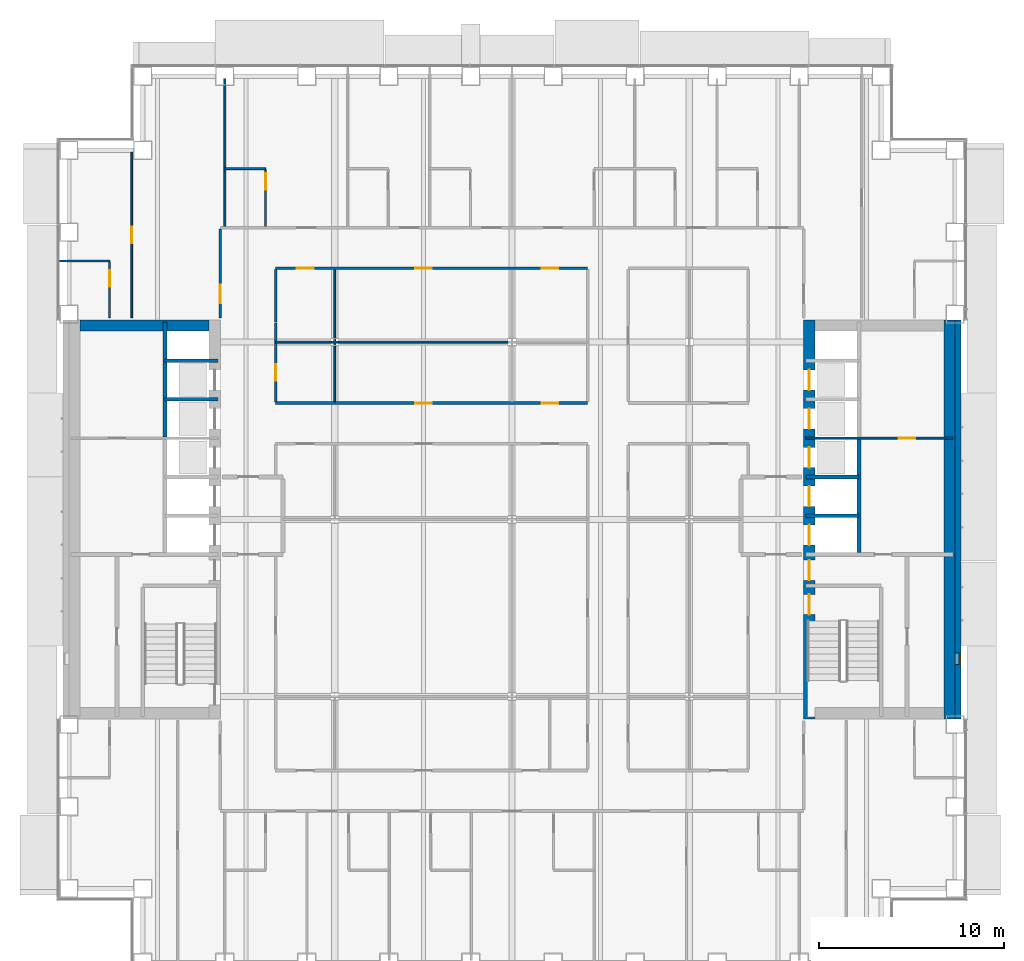
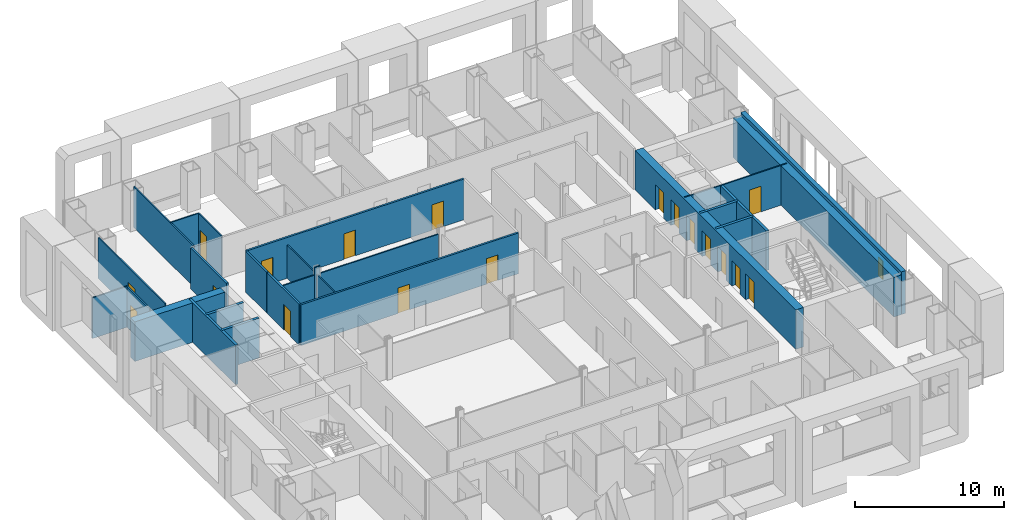
# One storey, part 17 of 25: 27 walls, 18 doors, 1 window, 19 openings.
"""IFC4 building model written with IfcOpenShell, lengths in metres."""

from ifc_helpers import new_model, si_unit, direction, frame, frame_2d, origin, place, context, subcontext, project, spatial, rectangle, extrude, material, layer, layer_set, type_object, element, fill, save


model = new_model("IFC4")

# Units and contexts
model_context = context("Model", 3, precision=1e-05, world=origin(), true_north=direction((0.0, 1.0)))
body_context = subcontext(model_context, "Body", "Model", "MODEL_VIEW")
ifc_project = project(units=[si_unit("LENGTHUNIT", "METRE"), si_unit("AREAUNIT", "SQUARE_METRE"), si_unit("VOLUMEUNIT", "CUBIC_METRE"), si_unit("PLANEANGLEUNIT", "RADIAN"), si_unit("MASSUNIT", "GRAM", prefix="KILO")], contexts=[model_context])

# Site, building, storey
site_placement = place(None, origin())
site = spatial("IfcSite", under=ifc_project, at=site_placement, CompositionType="ELEMENT")
building_placement = place(site_placement, origin())
building = spatial("IfcBuilding", under=site, at=building_placement, Name="Cobrizo Arcos Hotel Tower", CompositionType="ELEMENT")
storey_placement = place(building_placement, frame((0.0, 0.0, 53.0)))
storey = spatial("IfcBuildingStorey", under=building, at=storey_placement, Name="L11", CompositionType="ELEMENT", Elevation=53.0)

# Wall, openings, doors
ifc_material_1 = material(Name="Gypsum board partition")
ifc_layer_1 = layer(ifc_material_1, 0.14990234375)
ifc_layer_set_1 = layer_set([ifc_layer_1], Name="Corridor wall EI 60 150")
wall_type_1 = type_object("IfcWallType", Name="Corridor wall EI 60 150", PredefinedType="PARTITIONING", material=ifc_layer_set_1)
wall_1_placement = place(storey_placement, frame((-12.800048828125, 6.300048828125, 0.0), z_axis=(0.0, 0.0, 1.0), x_axis=(1.0, 0.0, 0.0)))
wall_1 = element("IfcWall", 1, at=wall_1_placement, inside=storey, type_object=wall_type_1, Name="Partition 043", PredefinedType="PARTITIONING", context=body_context, shape_type="SweptSolid", body=[
    extrude(rectangle(XDim=16.900146484375, YDim=0.14990234375, at=frame_2d((8.4501953125, 0.0))), origin(), (0.0, 0.0, 1.0), 3.35009765625),
])
opening_1_placement = place(wall_1_placement, frame((14.39990234375, 0.0, 0.0)))
opening_1 = element("IfcOpeningElement", 2, at=opening_1_placement, cuts=wall_1, Name="Opening RD-20", PredefinedType="OPENING", context=body_context, shape_type="SweptSolid", body=[
    extrude(rectangle(XDim=0.89990234375, YDim=2.10009765625, at=frame_2d((0.449951171875, 1.050048828125))), frame((0.0, 0.0869140625, 0.0), z_axis=(0.0, -1.0, 0.0), x_axis=(1.0, 0.0, 0.0)), (0.0, 0.0, 1.0), 0.173828125),
])
opening_2_placement = place(wall_1_placement, frame((7.550048828125, 0.0, 0.0)))
opening_2 = element("IfcOpeningElement", 3, at=opening_2_placement, cuts=wall_1, Name="Opening RD-27", PredefinedType="OPENING", context=body_context, shape_type="SweptSolid", body=[
    extrude(rectangle(XDim=0.89990234375, YDim=2.10009765625, at=frame_2d((0.449951171875, 1.050048828125))), frame((0.0, 0.0869140625, 0.0), z_axis=(0.0, -1.0, 0.0), x_axis=(1.0, 0.0, 0.0)), (0.0, 0.0, 1.0), 0.173828125),
])
ifc_material_2 = material(Name="Timber door leaf", Category="wood")
door_type_1 = type_object("IfcDoorType", Name="Room door FD30 900x2100", OperationType="SINGLE_SWING_LEFT", PredefinedType="DOOR", material=ifc_material_2)
door_1_placement = place(opening_1_placement, origin())
door_1 = element("IfcDoor", 4, at=door_1_placement, inside=storey, type_object=door_type_1, Name="Door RD-20", OperationType="SINGLE_SWING_LEFT", OverallHeight=2.10009765625, OverallWidth=0.89990234375, PredefinedType="DOOR", context=body_context, shape_type="SweptSolid", body=[
    extrude(rectangle(XDim=0.89990234375, YDim=2.10009765625, at=frame_2d((0.449951171875, 1.050048828125))), frame((0.0, 0.02490234375, 0.0), z_axis=(0.0, -1.0, 0.0), x_axis=(1.0, 0.0, 0.0)), (0.0, 0.0, 1.0), 0.050048828125),
])
fill(opening_1, door_1)
door_2_placement = place(opening_2_placement, origin())
door_2 = element("IfcDoor", 5, at=door_2_placement, inside=storey, type_object=door_type_1, Name="Door RD-27", OperationType="SINGLE_SWING_LEFT", OverallHeight=2.10009765625, OverallWidth=0.89990234375, PredefinedType="DOOR", context=body_context, shape_type="SweptSolid", body=[
    extrude(rectangle(XDim=0.89990234375, YDim=2.10009765625, at=frame_2d((0.449951171875, 1.050048828125))), frame((0.0, 0.02490234375, 0.0), z_axis=(0.0, -1.0, 0.0), x_axis=(1.0, 0.0, 0.0)), (0.0, 0.0, 1.0), 0.050048828125),
])
fill(opening_2, door_2)

wall_2_placement = place(storey_placement, frame((-12.800048828125, 13.60009765625, 0.0), z_axis=(0.0, 0.0, 1.0), x_axis=(1.0, 0.0, 0.0)))
wall_2 = element("IfcWall", 6, at=wall_2_placement, inside=storey, type_object=wall_type_1, Name="Partition 054", PredefinedType="PARTITIONING", context=body_context, shape_type="SweptSolid", body=[
    extrude(rectangle(XDim=16.900146484375, YDim=0.14990234375, at=frame_2d((8.4501953125, 0.0))), origin(), (0.0, 0.0, 1.0), 3.35009765625),
])
opening_3_placement = place(wall_2_placement, frame((1.14990234375, 0.0, 0.0)))
opening_3 = element("IfcOpeningElement", 7, at=opening_3_placement, cuts=wall_2, Name="Opening RD-17", PredefinedType="OPENING", context=body_context, shape_type="SweptSolid", body=[
    extrude(rectangle(XDim=0.89990234375, YDim=2.10009765625, at=frame_2d((0.449951171875, 1.050048828125))), frame((0.0, 0.0869140625, 0.0), z_axis=(0.0, -1.0, 0.0), x_axis=(1.0, 0.0, 0.0)), (0.0, 0.0, 1.0), 0.173828125),
])
opening_4_placement = place(wall_2_placement, frame((14.39990234375, 0.0, 0.0)))
opening_4 = element("IfcOpeningElement", 8, at=opening_4_placement, cuts=wall_2, Name="Opening RD-21", PredefinedType="OPENING", context=body_context, shape_type="SweptSolid", body=[
    extrude(rectangle(XDim=0.89990234375, YDim=2.10009765625, at=frame_2d((0.449951171875, 1.050048828125))), frame((0.0, 0.0869140625, 0.0), z_axis=(0.0, -1.0, 0.0), x_axis=(1.0, 0.0, 0.0)), (0.0, 0.0, 1.0), 0.173828125),
])
opening_5_placement = place(wall_2_placement, frame((7.550048828125, 0.0, 0.0)))
opening_5 = element("IfcOpeningElement", 9, at=opening_5_placement, cuts=wall_2, Name="Opening RD-29", PredefinedType="OPENING", context=body_context, shape_type="SweptSolid", body=[
    extrude(rectangle(XDim=0.89990234375, YDim=2.10009765625, at=frame_2d((0.449951171875, 1.050048828125))), frame((0.0, 0.0869140625, 0.0), z_axis=(0.0, -1.0, 0.0), x_axis=(1.0, 0.0, 0.0)), (0.0, 0.0, 1.0), 0.173828125),
])
door_3_placement = place(opening_3_placement, origin())
door_3 = element("IfcDoor", 10, at=door_3_placement, inside=storey, type_object=door_type_1, Name="Door RD-17", OperationType="SINGLE_SWING_RIGHT", OverallHeight=2.10009765625, OverallWidth=0.89990234375, PredefinedType="DOOR", context=body_context, shape_type="SweptSolid", body=[
    extrude(rectangle(XDim=0.89990234375, YDim=2.10009765625, at=frame_2d((0.449951171875, 1.050048828125))), frame((0.0, 0.02490234375, 0.0), z_axis=(0.0, -1.0, 0.0), x_axis=(1.0, 0.0, 0.0)), (0.0, 0.0, 1.0), 0.050048828125),
])
fill(opening_3, door_3)
door_4_placement = place(opening_4_placement, origin())
door_4 = element("IfcDoor", 11, at=door_4_placement, inside=storey, type_object=door_type_1, Name="Door RD-21", OperationType="SINGLE_SWING_RIGHT", OverallHeight=2.10009765625, OverallWidth=0.89990234375, PredefinedType="DOOR", context=body_context, shape_type="SweptSolid", body=[
    extrude(rectangle(XDim=0.89990234375, YDim=2.10009765625, at=frame_2d((0.449951171875, 1.050048828125))), frame((0.0, 0.02490234375, 0.0), z_axis=(0.0, -1.0, 0.0), x_axis=(1.0, 0.0, 0.0)), (0.0, 0.0, 1.0), 0.050048828125),
])
fill(opening_4, door_4)
door_5_placement = place(opening_5_placement, origin())
door_5 = element("IfcDoor", 12, at=door_5_placement, inside=storey, type_object=door_type_1, Name="Door RD-29", OperationType="SINGLE_SWING_RIGHT", OverallHeight=2.10009765625, OverallWidth=0.89990234375, PredefinedType="DOOR", context=body_context, shape_type="SweptSolid", body=[
    extrude(rectangle(XDim=0.89990234375, YDim=2.10009765625, at=frame_2d((0.449951171875, 1.050048828125))), frame((0.0, 0.02490234375, 0.0), z_axis=(0.0, -1.0, 0.0), x_axis=(1.0, 0.0, 0.0)), (0.0, 0.0, 1.0), 0.050048828125),
])
fill(opening_5, door_5)

# Wall, opening, door
wall_3_placement = place(storey_placement, frame((-15.800048828125, 10.919921875, 0.0), z_axis=(0.0, 0.0, 1.0), x_axis=(0.0, 1.0, 0.0)))
wall_3 = element("IfcWall", 13, at=wall_3_placement, inside=storey, type_object=wall_type_1, Name="Partition 073", PredefinedType="PARTITIONING", context=body_context, shape_type="SweptSolid", body=[
    extrude(rectangle(XDim=4.80517578125, YDim=0.14990234375, at=frame_2d((2.402587890625, 0.0))), origin(), (0.0, 0.0, 1.0), 3.35009765625),
])
opening_6_placement = place(wall_3_placement, frame((0.780029296875, 0.0, 0.0)))
opening_6 = element("IfcOpeningElement", 14, at=opening_6_placement, cuts=wall_3, Name="Opening GD-13", PredefinedType="OPENING", context=body_context, shape_type="SweptSolid", body=[
    extrude(rectangle(XDim=1.0, YDim=2.10009765625, at=frame_2d((0.5, 1.050048828125))), frame((0.0, 0.0869140625, 0.0), z_axis=(0.0, -1.0, 0.0), x_axis=(1.0, 0.0, 0.0)), (0.0, 0.0, 1.0), 0.173828125),
])
door_type_2 = type_object("IfcDoorType", Name="Guest room door FD30S 1000x2100", OperationType="SINGLE_SWING_LEFT", PredefinedType="DOOR", material=ifc_material_2)
door_6_placement = place(opening_6_placement, origin())
door_6 = element("IfcDoor", 15, at=door_6_placement, inside=storey, type_object=door_type_2, Name="Door GD-13", OperationType="SINGLE_SWING_LEFT", OverallHeight=2.10009765625, OverallWidth=1.0, PredefinedType="DOOR", context=body_context, shape_type="SweptSolid", body=[
    extrude(rectangle(XDim=1.0, YDim=2.10009765625, at=frame_2d((0.5, 1.050048828125))), frame((0.0, 0.02490234375, 0.0), z_axis=(0.0, -1.0, 0.0), x_axis=(1.0, 0.0, 0.0)), (0.0, 0.0, 1.0), 0.050048828125),
])
fill(opening_6, door_6)

wall_4_placement = place(storey_placement, frame((-12.800048828125, 6.35009765625, 0.0), z_axis=(0.0, 0.0, 1.0), x_axis=(0.0, 1.0, 0.0)))
wall_4 = element("IfcWall", 16, at=wall_4_placement, inside=storey, type_object=wall_type_1, Name="Partition 080", PredefinedType="PARTITIONING", context=body_context, shape_type="SweptSolid", body=[
    extrude(rectangle(XDim=4.2998046875, YDim=0.14990234375, at=frame_2d((2.14990234375, 0.0))), origin(), (0.0, 0.0, 1.0), 3.35009765625),
])
opening_7_placement = place(wall_4_placement, frame((1.14990234375, 0.0, 0.0)))
opening_7 = element("IfcOpeningElement", 17, at=opening_7_placement, cuts=wall_4, Name="Opening RD-12", PredefinedType="OPENING", context=body_context, shape_type="SweptSolid", body=[
    extrude(rectangle(XDim=0.89990234375, YDim=2.10009765625, at=frame_2d((0.449951171875, 1.050048828125))), frame((0.0, 0.0869140625, 0.0), z_axis=(0.0, -1.0, 0.0), x_axis=(1.0, 0.0, 0.0)), (0.0, 0.0, 1.0), 0.173828125),
])
door_7_placement = place(opening_7_placement, origin())
door_7 = element("IfcDoor", 18, at=door_7_placement, inside=storey, type_object=door_type_1, Name="Door RD-12", OperationType="SINGLE_SWING_RIGHT", OverallHeight=2.10009765625, OverallWidth=0.89990234375, PredefinedType="DOOR", context=body_context, shape_type="SweptSolid", body=[
    extrude(rectangle(XDim=0.89990234375, YDim=2.10009765625, at=frame_2d((0.449951171875, 1.050048828125))), frame((0.0, 0.02490234375, 0.0), z_axis=(0.0, -1.0, 0.0), x_axis=(1.0, 0.0, 0.0)), (0.0, 0.0, 1.0), 0.050048828125),
])
fill(opening_7, door_7)

# Wall
wall_5_placement = place(storey_placement, frame((-12.800048828125, 10.699951171875, 0.0), z_axis=(0.0, 0.0, 1.0), x_axis=(0.0, 1.0, 0.0)))
element("IfcWall", 19, at=wall_5_placement, inside=storey, type_object=wall_type_1, Name="Partition 081", PredefinedType="PARTITIONING", context=body_context, shape_type="SweptSolid", body=[
    extrude(rectangle(XDim=2.824951171875, YDim=0.14990234375, at=frame_2d((1.41259765625, 0.0))), origin(), (0.0, 0.0, 1.0), 3.35009765625),
])

# Wall, opening, window
ifc_material_3 = material(Name="Aluminium composite panel pale metal", Category="aluminium")
ifc_layer_2 = layer(ifc_material_3, 0.324951171875)
ifc_layer_set_2 = layer_set([ifc_layer_2], Name="EW-1 insulated panel wall 325")
wall_type_2 = type_object("IfcWallType", Name="EW-1 insulated panel wall 325", PredefinedType="SOLIDWALL", material=ifc_layer_set_2)
wall_6_placement = place(storey_placement, frame((24.16259765625, -10.800048828125, 0.0), z_axis=(0.0, 0.0, 1.0), x_axis=(0.0, 1.0, 0.0)))
wall_6 = element("IfcWall", 20, at=wall_6_placement, inside=storey, type_object=wall_type_2, Name="Core face wall L11 E", PredefinedType="SOLIDWALL", context=body_context, shape_type="SweptSolid", body=[
    extrude(rectangle(XDim=21.60009765625, YDim=0.324951171875, at=frame_2d((10.800048828125, 0.0))), origin(), (0.0, 0.0, 1.0), 3.5),
])
opening_8_placement = place(wall_6_placement, frame((2.949951171875, 0.0, 1.0)))
opening_8 = element("IfcOpeningElement", 21, at=opening_8_placement, cuts=wall_6, Name="Opening W-17", PredefinedType="OPENING", context=body_context, shape_type="SweptSolid", body=[
    extrude(rectangle(XDim=0.60009765625, YDim=1.5, at=frame_2d((0.300048828125, 0.75))), frame((0.0, 0.174560546875, 0.0), z_axis=(0.0, -1.0, 0.0), x_axis=(1.0, 0.0, 0.0)), (0.0, 0.0, 1.0), 0.348876953125),
])
ifc_material_4 = material(Name="Aluminium 6063-T6 and clear laminated glass", Category="aluminium")
window_type = type_object("IfcWindowType", Name="W-C1 core stair slot window 600x1500", PartitioningType="SINGLE_PANEL", PredefinedType="WINDOW", material=ifc_material_4)
window_placement = place(opening_8_placement, origin())
window = element("IfcWindow", 22, at=window_placement, inside=storey, type_object=window_type, Name="Core face wall L11 E window W-17", OverallHeight=1.5, OverallWidth=0.60009765625, PartitioningType="SINGLE_PANEL", PredefinedType="WINDOW", context=body_context, shape_type="SweptSolid", body=[
    extrude(rectangle(XDim=0.60009765625, YDim=1.5, at=frame_2d((0.300048828125, 0.75))), frame((0.0, -0.072509765625, 0.0), z_axis=(0.0, -1.0, 0.0), x_axis=(1.0, 0.0, 0.0)), (0.0, 0.0, 1.0), 0.06005859375),
])
fill(opening_8, window)

# Wall, opening, door
ifc_layer_3 = layer(ifc_material_1, 0.10009765625)
ifc_layer_set_3 = layer_set([ifc_layer_3], Name="Partition EI 30 100")
wall_type_3 = type_object("IfcWallType", Name="Partition EI 30 100", PredefinedType="PARTITIONING", material=ifc_layer_set_3)
wall_7_placement = place(storey_placement, frame((15.919921875, 4.39990234375, 0.0), z_axis=(0.0, 0.0, 1.0), x_axis=(1.0, 0.0, 0.0)))
wall_7 = element("IfcWall", 23, at=wall_7_placement, inside=storey, type_object=wall_type_3, Name="Partition 042", PredefinedType="PARTITIONING", context=body_context, shape_type="SweptSolid", body=[
    extrude(rectangle(XDim=7.9599609375, YDim=0.10009765625, at=frame_2d((3.97998046875, 0.0))), origin(), (0.0, 0.0, 1.0), 3.25),
])
opening_9_placement = place(wall_7_placement, frame((5.030029296875, 0.0, 0.0)))
opening_9 = element("IfcOpeningElement", 24, at=opening_9_placement, cuts=wall_7, Name="Opening RD-06", PredefinedType="OPENING", context=body_context, shape_type="SweptSolid", body=[
    extrude(rectangle(XDim=0.89990234375, YDim=2.10009765625, at=frame_2d((0.449951171875, 1.050048828125))), frame((0.0, 0.06201171875, 0.0), z_axis=(0.0, -1.0, 0.0), x_axis=(1.0, 0.0, 0.0)), (0.0, 0.0, 1.0), 0.1240234375),
])
door_8_placement = place(opening_9_placement, origin())
door_8 = element("IfcDoor", 25, at=door_8_placement, inside=storey, type_object=door_type_1, Name="Door RD-06", OperationType="SINGLE_SWING_RIGHT", OverallHeight=2.10009765625, OverallWidth=0.89990234375, PredefinedType="DOOR", context=body_context, shape_type="SweptSolid", body=[
    extrude(rectangle(XDim=0.89990234375, YDim=2.10009765625, at=frame_2d((0.449951171875, 1.050048828125))), frame((0.0, 0.02490234375, 0.0), z_axis=(0.0, -1.0, 0.0), x_axis=(1.0, 0.0, 0.0)), (0.0, 0.0, 1.0), 0.050048828125),
])
fill(opening_9, door_8)

# Walls
wall_8_placement = place(storey_placement, frame((-12.800048828125, 9.60009765625, 0.0), z_axis=(0.0, 0.0, 1.0), x_axis=(1.0, 0.0, 0.0)))
element("IfcWall", 26, at=wall_8_placement, inside=storey, type_object=wall_type_3, Name="Partition 049", PredefinedType="PARTITIONING", context=body_context, shape_type="SweptSolid", body=[
    extrude(rectangle(XDim=2.99609375, YDim=0.10009765625, at=frame_2d((1.498046875, 0.0))), origin(), (0.0, 0.0, 1.0), 2.72802734375),
])
wall_9_placement = place(storey_placement, frame((-9.803955078125, 9.60009765625, 0.0), z_axis=(0.0, 0.0, 1.0), x_axis=(1.0, 0.0, 0.0)))
element("IfcWall", 27, at=wall_9_placement, inside=storey, type_object=wall_type_3, Name="Partition 050", PredefinedType="PARTITIONING", context=body_context, shape_type="SweptSolid", body=[
    extrude(rectangle(XDim=0.407958984375, YDim=0.10009765625, at=frame_2d((0.2041015625, 0.0))), origin(), (0.0, 0.0, 1.0), 3.35009765625),
])
wall_10_placement = place(storey_placement, frame((-9.39599609375, 9.60009765625, 0.0), z_axis=(0.0, 0.0, 1.0), x_axis=(1.0, 0.0, 0.0)))
element("IfcWall", 28, at=wall_10_placement, inside=storey, type_object=wall_type_3, Name="Partition 051", PredefinedType="PARTITIONING", context=body_context, shape_type="SweptSolid", body=[
    extrude(rectangle(XDim=9.19189453125, YDim=0.10009765625, at=frame_2d((4.595947265625, 0.0))), origin(), (0.0, 0.0, 1.0), 2.72802734375),
])
wall_11_placement = place(storey_placement, frame((-24.530029296875, 14.0, 0.0), z_axis=(0.0, 0.0, 1.0), x_axis=(1.0, 0.0, 0.0)))
element("IfcWall", 29, at=wall_11_placement, inside=storey, type_object=wall_type_3, Name="Partition 056", PredefinedType="PARTITIONING", context=body_context, shape_type="SweptSolid", body=[
    extrude(rectangle(XDim=2.72998046875, YDim=0.10009765625, at=frame_2d((1.364990234375, 0.0))), origin(), (0.0, 0.0, 1.0), 3.35009765625),
])
wall_12_placement = place(storey_placement, frame((-15.550048828125, 19.0, 0.0), z_axis=(0.0, 0.0, 1.0), x_axis=(1.0, 0.0, 0.0)))
element("IfcWall", 30, at=wall_12_placement, inside=storey, type_object=wall_type_3, Name="Partition 059", PredefinedType="PARTITIONING", context=body_context, shape_type="SweptSolid", body=[
    extrude(rectangle(XDim=2.199951171875, YDim=0.10009765625, at=frame_2d((1.10009765625, 0.0))), origin(), (0.0, 0.0, 1.0), 3.35009765625),
])

# Wall, opening, door
wall_13_placement = place(storey_placement, frame((-21.800048828125, 10.919921875, 0.0), z_axis=(0.0, 0.0, 1.0), x_axis=(0.0, 1.0, 0.0)))
wall_13 = element("IfcWall", 31, at=wall_13_placement, inside=storey, type_object=wall_type_3, Name="Partition 065", PredefinedType="PARTITIONING", context=body_context, shape_type="SweptSolid", body=[
    extrude(rectangle(XDim=3.030029296875, YDim=0.10009765625, at=frame_2d((1.51513671875, 0.0))), origin(), (0.0, 0.0, 1.0), 3.35009765625),
])
opening_10_placement = place(wall_13_placement, frame((1.669921875, 0.0, 0.0)))
opening_10 = element("IfcOpeningElement", 32, at=opening_10_placement, cuts=wall_13, Name="Opening ED-13", PredefinedType="OPENING", context=body_context, shape_type="SweptSolid", body=[
    extrude(rectangle(XDim=0.89990234375, YDim=2.10009765625, at=frame_2d((0.449951171875, 1.050048828125))), frame((0.0, 0.06201171875, 0.0), z_axis=(0.0, -1.0, 0.0), x_axis=(1.0, 0.0, 0.0)), (0.0, 0.0, 1.0), 0.1240234375),
])
door_type_3 = type_object("IfcDoorType", Name="En-suite door 900x2100", OperationType="SINGLE_SWING_LEFT", PredefinedType="DOOR", material=ifc_material_2)
door_9_placement = place(opening_10_placement, origin())
door_9 = element("IfcDoor", 33, at=door_9_placement, inside=storey, type_object=door_type_3, Name="Door ED-13", OperationType="SINGLE_SWING_RIGHT", OverallHeight=2.10009765625, OverallWidth=0.89990234375, PredefinedType="DOOR", context=body_context, shape_type="SweptSolid", body=[
    extrude(rectangle(XDim=0.89990234375, YDim=2.10009765625, at=frame_2d((0.449951171875, 1.050048828125))), frame((0.0, 0.02490234375, 0.0), z_axis=(0.0, -1.0, 0.0), x_axis=(1.0, 0.0, 0.0)), (0.0, 0.0, 1.0), 0.050048828125),
])
fill(opening_10, door_9)

wall_14_placement = place(storey_placement, frame((-20.60009765625, 10.919921875, 0.0), z_axis=(0.0, 0.0, 1.0), x_axis=(0.0, 1.0, 0.0)))
wall_14 = element("IfcWall", 34, at=wall_14_placement, inside=storey, type_object=wall_type_3, Name="Partition 067", PredefinedType="PARTITIONING", context=body_context, shape_type="SweptSolid", body=[
    extrude(rectangle(XDim=8.9599609375, YDim=0.10009765625, at=frame_2d((4.47998046875, 0.0))), origin(), (0.0, 0.0, 1.0), 3.35009765625),
])
opening_11_placement = place(wall_14_placement, frame((4.030029296875, 0.0, 0.0)))
opening_11 = element("IfcOpeningElement", 35, at=opening_11_placement, cuts=wall_14, Name="Opening RD-09", PredefinedType="OPENING", context=body_context, shape_type="SweptSolid", body=[
    extrude(rectangle(XDim=0.89990234375, YDim=2.10009765625, at=frame_2d((0.449951171875, 1.050048828125))), frame((0.0, 0.06201171875, 0.0), z_axis=(0.0, -1.0, 0.0), x_axis=(1.0, 0.0, 0.0)), (0.0, 0.0, 1.0), 0.1240234375),
])
door_10_placement = place(opening_11_placement, origin())
door_10 = element("IfcDoor", 36, at=door_10_placement, inside=storey, type_object=door_type_1, Name="Door RD-09", OperationType="SINGLE_SWING_RIGHT", OverallHeight=2.10009765625, OverallWidth=0.89990234375, PredefinedType="DOOR", context=body_context, shape_type="SweptSolid", body=[
    extrude(rectangle(XDim=0.89990234375, YDim=2.10009765625, at=frame_2d((0.449951171875, 1.050048828125))), frame((0.0, 0.02490234375, 0.0), z_axis=(0.0, -1.0, 0.0), x_axis=(1.0, 0.0, 0.0)), (0.0, 0.0, 1.0), 0.050048828125),
])
fill(opening_11, door_10)

# Wall
wall_15_placement = place(storey_placement, frame((-15.550048828125, 15.875, 0.0), z_axis=(0.0, 0.0, 1.0), x_axis=(0.0, 1.0, 0.0)))
element("IfcWall", 37, at=wall_15_placement, inside=storey, type_object=wall_type_3, Name="Partition 075", PredefinedType="PARTITIONING", context=body_context, shape_type="SweptSolid", body=[
    extrude(rectangle(XDim=8.0048828125, YDim=0.10009765625, at=frame_2d((4.00244140625, 0.0))), origin(), (0.0, 0.0, 1.0), 3.35009765625),
])

# Wall, opening, door
wall_16_placement = place(storey_placement, frame((-13.35009765625, 15.875, 0.0), z_axis=(0.0, 0.0, 1.0), x_axis=(0.0, 1.0, 0.0)))
wall_16 = element("IfcWall", 38, at=wall_16_placement, inside=storey, type_object=wall_type_3, Name="Partition 077", PredefinedType="PARTITIONING", context=body_context, shape_type="SweptSolid", body=[
    extrude(rectangle(XDim=3.074951171875, YDim=0.10009765625, at=frame_2d((1.53759765625, 0.0))), origin(), (0.0, 0.0, 1.0), 3.35009765625),
])
opening_12_placement = place(wall_16_placement, frame((1.970947265625, 0.0, 0.0)))
opening_12 = element("IfcOpeningElement", 39, at=opening_12_placement, cuts=wall_16, Name="Opening ED-01", PredefinedType="OPENING", context=body_context, shape_type="SweptSolid", body=[
    extrude(rectangle(XDim=0.89990234375, YDim=2.10009765625, at=frame_2d((0.449951171875, 1.050048828125))), frame((0.0, 0.06201171875, 0.0), z_axis=(0.0, -1.0, 0.0), x_axis=(1.0, 0.0, 0.0)), (0.0, 0.0, 1.0), 0.1240234375),
])
door_11_placement = place(opening_12_placement, origin())
door_11 = element("IfcDoor", 40, at=door_11_placement, inside=storey, type_object=door_type_3, Name="Door ED-01", OperationType="SINGLE_SWING_RIGHT", OverallHeight=2.10009765625, OverallWidth=0.89990234375, PredefinedType="DOOR", context=body_context, shape_type="SweptSolid", body=[
    extrude(rectangle(XDim=0.89990234375, YDim=2.10009765625, at=frame_2d((0.449951171875, 1.050048828125))), frame((0.0, 0.02490234375, 0.0), z_axis=(0.0, -1.0, 0.0), x_axis=(1.0, 0.0, 0.0)), (0.0, 0.0, 1.0), 0.050048828125),
])
fill(opening_12, door_11)

# Walls
wall_17_placement = place(storey_placement, frame((-9.60009765625, 6.375, 0.0), z_axis=(0.0, 0.0, 1.0), x_axis=(0.0, 1.0, 0.0)))
element("IfcWall", 41, at=wall_17_placement, inside=storey, type_object=wall_type_3, Name="Partition 086", PredefinedType="PARTITIONING", context=body_context, shape_type="SweptSolid", body=[
    extrude(rectangle(XDim=3.175048828125, YDim=0.10009765625, at=frame_2d((1.58740234375, 0.0))), origin(), (0.0, 0.0, 1.0), 2.72802734375),
])
wall_18_placement = place(storey_placement, frame((-9.60009765625, 9.64990234375, 0.0), z_axis=(0.0, 0.0, 1.0), x_axis=(0.0, 1.0, 0.0)))
element("IfcWall", 42, at=wall_18_placement, inside=storey, type_object=wall_type_3, Name="Partition 087", PredefinedType="PARTITIONING", context=body_context, shape_type="SweptSolid", body=[
    extrude(rectangle(XDim=3.875, YDim=0.10009765625, at=frame_2d((1.9375, 0.0))), origin(), (0.0, 0.0, 1.0), 2.72802734375),
])

# Wall, openings, doors
ifc_material_5 = material(Name="Concrete f'c 60 MPa", Category="concrete")
ifc_layer_4 = layer(ifc_material_5, 0.60009765625)
ifc_layer_set_4 = layer_set([ifc_layer_4], Name="RC core wall 600 f'c 60")
wall_type_4 = type_object("IfcWallType", Name="RC core wall 600 f'c 60", PredefinedType="SHEAR", material=ifc_layer_set_4)
wall_19_placement = place(storey_placement, frame((16.10009765625, -10.800048828125, 0.0), z_axis=(0.0, 0.0, 1.0), x_axis=(0.0, 1.0, 0.0)))
wall_19 = element("IfcWall", 43, at=wall_19_placement, inside=storey, type_object=wall_type_4, Name="Core wall CW1, east core, inner face, L11", PredefinedType="SHEAR", context=body_context, shape_type="SweptSolid", body=[
    extrude(rectangle(XDim=21.60009765625, YDim=0.60009765625, at=frame_2d((10.800048828125, 0.0))), origin(), (0.0, 0.0, 1.0), 3.25),
])
opening_13_placement = place(wall_19_placement, frame((9.39990234375, 0.0, 0.0)))
opening_13 = element("IfcOpeningElement", 44, at=opening_13_placement, cuts=wall_19, Name="Opening LD-06", PredefinedType="OPENING", context=body_context, shape_type="SweptSolid", body=[
    extrude(rectangle(XDim=1.10009765625, YDim=2.10009765625, at=frame_2d((0.550048828125, 1.050048828125))), frame((0.0, 0.31201171875, 0.0), z_axis=(0.0, -1.0, 0.0), x_axis=(1.0, 0.0, 0.0)), (0.0, 0.0, 1.0), 0.6240234375),
])
opening_14_placement = place(wall_19_placement, frame((11.5, 0.0, 0.0)))
opening_14 = element("IfcOpeningElement", 45, at=opening_14_placement, cuts=wall_19, Name="Opening LD-07", PredefinedType="OPENING", context=body_context, shape_type="SweptSolid", body=[
    extrude(rectangle(XDim=1.10009765625, YDim=2.10009765625, at=frame_2d((0.550048828125, 1.050048828125))), frame((0.0, 0.31201171875, 0.0), z_axis=(0.0, -1.0, 0.0), x_axis=(1.0, 0.0, 0.0)), (0.0, 0.0, 1.0), 0.6240234375),
])
opening_15_placement = place(wall_19_placement, frame((13.60009765625, 0.0, 0.0)))
opening_15 = element("IfcOpeningElement", 46, at=opening_15_placement, cuts=wall_19, Name="Opening LD-08", PredefinedType="OPENING", context=body_context, shape_type="SweptSolid", body=[
    extrude(rectangle(XDim=1.10009765625, YDim=2.10009765625, at=frame_2d((0.550048828125, 1.050048828125))), frame((0.0, 0.31201171875, 0.0), z_axis=(0.0, -1.0, 0.0), x_axis=(1.0, 0.0, 0.0)), (0.0, 0.0, 1.0), 0.6240234375),
])
opening_16_placement = place(wall_19_placement, frame((15.699951171875, 0.0, 0.0)))
opening_16 = element("IfcOpeningElement", 47, at=opening_16_placement, cuts=wall_19, Name="Opening LD-09", PredefinedType="OPENING", context=body_context, shape_type="SweptSolid", body=[
    extrude(rectangle(XDim=1.10009765625, YDim=2.10009765625, at=frame_2d((0.550048828125, 1.050048828125))), frame((0.0, 0.31201171875, 0.0), z_axis=(0.0, -1.0, 0.0), x_axis=(1.0, 0.0, 0.0)), (0.0, 0.0, 1.0), 0.6240234375),
])
opening_17_placement = place(wall_19_placement, frame((17.800048828125, 0.0, 0.0)))
opening_17 = element("IfcOpeningElement", 48, at=opening_17_placement, cuts=wall_19, Name="Opening LD-10", PredefinedType="OPENING", context=body_context, shape_type="SweptSolid", body=[
    extrude(rectangle(XDim=1.10009765625, YDim=2.10009765625, at=frame_2d((0.550048828125, 1.050048828125))), frame((0.0, 0.31201171875, 0.0), z_axis=(0.0, -1.0, 0.0), x_axis=(1.0, 0.0, 0.0)), (0.0, 0.0, 1.0), 0.6240234375),
])
opening_18_placement = place(wall_19_placement, frame((5.64208984375, 0.0, 0.0)))
opening_18 = element("IfcOpeningElement", 49, at=opening_18_placement, cuts=wall_19, Name="Opening SD-02", PredefinedType="OPENING", context=body_context, shape_type="SweptSolid", body=[
    extrude(rectangle(XDim=1.10009765625, YDim=2.10009765625, at=frame_2d((0.550048828125, 1.050048828125))), frame((0.0, 0.31201171875, 0.0), z_axis=(0.0, -1.0, 0.0), x_axis=(1.0, 0.0, 0.0)), (0.0, 0.0, 1.0), 0.6240234375),
])
opening_19_placement = place(wall_19_placement, frame((7.5, 0.0, 0.0)))
opening_19 = element("IfcOpeningElement", 50, at=opening_19_placement, cuts=wall_19, Name="Opening FD-04", PredefinedType="OPENING", context=body_context, shape_type="SweptSolid", body=[
    extrude(rectangle(XDim=1.10009765625, YDim=2.10009765625, at=frame_2d((0.550048828125, 1.050048828125))), frame((0.0, 0.31201171875, 0.0), z_axis=(0.0, -1.0, 0.0), x_axis=(1.0, 0.0, 0.0)), (0.0, 0.0, 1.0), 0.6240234375),
])
ifc_material_6 = material(Name="Steel door leaf", Category="steel")
door_type_4 = type_object("IfcDoorType", Name="Fire door FD60 1100x2100", OperationType="SINGLE_SWING_LEFT", PredefinedType="DOOR", material=ifc_material_6)
door_12_placement = place(opening_19_placement, origin())
door_12 = element("IfcDoor", 51, at=door_12_placement, inside=storey, type_object=door_type_4, Name="Door FD-04", OperationType="SINGLE_SWING_LEFT", OverallHeight=2.10009765625, OverallWidth=1.10009765625, PredefinedType="DOOR", context=body_context, shape_type="SweptSolid", body=[
    extrude(rectangle(XDim=1.10009765625, YDim=2.10009765625, at=frame_2d((0.550048828125, 1.050048828125))), frame((0.0, 0.02490234375, 0.0), z_axis=(0.0, -1.0, 0.0), x_axis=(1.0, 0.0, 0.0)), (0.0, 0.0, 1.0), 0.050048828125),
])
fill(opening_19, door_12)
door_type_5 = type_object("IfcDoorType", Name="Lift landing door 1100x2100", OperationType="SLIDING_TO_LEFT", PredefinedType="DOOR", material=ifc_material_6)
door_13_placement = place(opening_13_placement, origin())
door_13 = element("IfcDoor", 52, at=door_13_placement, inside=storey, type_object=door_type_5, Name="Lift landing door LD-06", OperationType="SLIDING_TO_LEFT", OverallHeight=2.10009765625, OverallWidth=1.10009765625, PredefinedType="DOOR", context=body_context, shape_type="SweptSolid", body=[
    extrude(rectangle(XDim=1.10009765625, YDim=2.10009765625, at=frame_2d((0.550048828125, 1.050048828125))), frame((0.0, 0.02490234375, 0.0), z_axis=(0.0, -1.0, 0.0), x_axis=(1.0, 0.0, 0.0)), (0.0, 0.0, 1.0), 0.050048828125),
])
fill(opening_13, door_13)
door_14_placement = place(opening_14_placement, origin())
door_14 = element("IfcDoor", 53, at=door_14_placement, inside=storey, type_object=door_type_5, Name="Lift landing door LD-07", OperationType="SLIDING_TO_LEFT", OverallHeight=2.10009765625, OverallWidth=1.10009765625, PredefinedType="DOOR", context=body_context, shape_type="SweptSolid", body=[
    extrude(rectangle(XDim=1.10009765625, YDim=2.10009765625, at=frame_2d((0.550048828125, 1.050048828125))), frame((0.0, 0.02490234375, 0.0), z_axis=(0.0, -1.0, 0.0), x_axis=(1.0, 0.0, 0.0)), (0.0, 0.0, 1.0), 0.050048828125),
])
fill(opening_14, door_14)
door_15_placement = place(opening_15_placement, origin())
door_15 = element("IfcDoor", 54, at=door_15_placement, inside=storey, type_object=door_type_5, Name="Lift landing door LD-08", OperationType="SLIDING_TO_LEFT", OverallHeight=2.10009765625, OverallWidth=1.10009765625, PredefinedType="DOOR", context=body_context, shape_type="SweptSolid", body=[
    extrude(rectangle(XDim=1.10009765625, YDim=2.10009765625, at=frame_2d((0.550048828125, 1.050048828125))), frame((0.0, 0.02490234375, 0.0), z_axis=(0.0, -1.0, 0.0), x_axis=(1.0, 0.0, 0.0)), (0.0, 0.0, 1.0), 0.050048828125),
])
fill(opening_15, door_15)
door_16_placement = place(opening_16_placement, origin())
door_16 = element("IfcDoor", 55, at=door_16_placement, inside=storey, type_object=door_type_5, Name="Lift landing door LD-09", OperationType="SLIDING_TO_LEFT", OverallHeight=2.10009765625, OverallWidth=1.10009765625, PredefinedType="DOOR", context=body_context, shape_type="SweptSolid", body=[
    extrude(rectangle(XDim=1.10009765625, YDim=2.10009765625, at=frame_2d((0.550048828125, 1.050048828125))), frame((0.0, 0.02490234375, 0.0), z_axis=(0.0, -1.0, 0.0), x_axis=(1.0, 0.0, 0.0)), (0.0, 0.0, 1.0), 0.050048828125),
])
fill(opening_16, door_16)
door_17_placement = place(opening_17_placement, origin())
door_17 = element("IfcDoor", 56, at=door_17_placement, inside=storey, type_object=door_type_5, Name="Lift landing door LD-10", OperationType="SLIDING_TO_LEFT", OverallHeight=2.10009765625, OverallWidth=1.10009765625, PredefinedType="DOOR", context=body_context, shape_type="SweptSolid", body=[
    extrude(rectangle(XDim=1.10009765625, YDim=2.10009765625, at=frame_2d((0.550048828125, 1.050048828125))), frame((0.0, 0.02490234375, 0.0), z_axis=(0.0, -1.0, 0.0), x_axis=(1.0, 0.0, 0.0)), (0.0, 0.0, 1.0), 0.050048828125),
])
fill(opening_17, door_17)
door_type_6 = type_object("IfcDoorType", Name="Stair door FD60S 1100x2100", OperationType="SINGLE_SWING_LEFT", PredefinedType="DOOR", material=ifc_material_6)
door_18_placement = place(opening_18_placement, origin())
door_18 = element("IfcDoor", 57, at=door_18_placement, inside=storey, type_object=door_type_6, Name="Door SD-02", OperationType="SINGLE_SWING_RIGHT", OverallHeight=2.10009765625, OverallWidth=1.10009765625, PredefinedType="DOOR", context=body_context, shape_type="SweptSolid", body=[
    extrude(rectangle(XDim=1.10009765625, YDim=2.10009765625, at=frame_2d((0.550048828125, 1.050048828125))), frame((0.0, 0.02490234375, 0.0), z_axis=(0.0, -1.0, 0.0), x_axis=(1.0, 0.0, 0.0)), (0.0, 0.0, 1.0), 0.050048828125),
])
fill(opening_18, door_18)

# Walls
wall_20_placement = place(storey_placement, frame((23.699951171875, -10.800048828125, 0.0), z_axis=(0.0, 0.0, 1.0), x_axis=(0.0, 1.0, 0.0)))
element("IfcWall", 58, at=wall_20_placement, inside=storey, type_object=wall_type_4, Name="Core wall CW1, east core, outer face, L11", PredefinedType="SHEAR", context=body_context, shape_type="SweptSolid", body=[
    extrude(rectangle(XDim=21.60009765625, YDim=0.60009765625, at=frame_2d((10.800048828125, 0.0))), origin(), (0.0, 0.0, 1.0), 3.25),
])
wall_21_placement = place(storey_placement, frame((-23.39990234375, 10.5, 0.0), z_axis=(0.0, 0.0, 1.0), x_axis=(1.0, 0.0, 0.0)))
element("IfcWall", 59, at=wall_21_placement, inside=storey, type_object=wall_type_4, Name="Core wall CW1, west core, north end, L11", PredefinedType="SHEAR", context=body_context, shape_type="SweptSolid", body=[
    extrude(rectangle(XDim=7.0, YDim=0.60009765625, at=frame_2d((3.5, 0.0))), origin(), (0.0, 0.0, 1.0), 3.25),
])
ifc_layer_5 = layer(ifc_material_1, 0.199951171875)
ifc_layer_set_5 = layer_set([ifc_layer_5], Name="Shaft wall EI 120 200")
wall_type_5 = type_object("IfcWallType", Name="Shaft wall EI 120 200", PredefinedType="PARTITIONING", material=ifc_layer_set_5)
for number, where, z_axis, x_axis, name in (
    (60, (15.919921875, 0.199951171875, 0.0), (0.0, 0.0, 1.0), (1.0, 0.0, 0.0), "Partition 034"),
    (61, (15.919921875, 2.300048828125, 0.0), (0.0, 0.0, 1.0), (1.0, 0.0, 0.0), "Partition 038"),
    (62, (-18.800048828125, 6.5, 0.0), (0.0, 0.0, 1.0), (1.0, 0.0, 0.0), "Partition 045"),
    (63, (-18.800048828125, 8.60009765625, 0.0), (0.0, 0.0, 1.0), (1.0, 0.0, 0.0), "Partition 047"),
):
    element("IfcWall", number, at=place(storey_placement, frame(where, z_axis=z_axis, x_axis=x_axis)), inside=storey, type_object=wall_type_5, Name=name, PredefinedType="PARTITIONING", context=body_context, shape_type="SweptSolid", body=[
        extrude(rectangle(XDim=2.880126953125, YDim=0.199951171875, at=frame_2d((1.43994140625, 0.0))), origin(), (0.0, 0.0, 1.0), 3.25),
    ])
wall_22_placement = place(storey_placement, frame((-18.800048828125, 4.449951171875, 0.0), z_axis=(0.0, 0.0, 1.0), x_axis=(0.0, 1.0, 0.0)))
element("IfcWall", 64, at=wall_22_placement, inside=storey, type_object=wall_type_5, Name="Partition 070", PredefinedType="PARTITIONING", context=body_context, shape_type="SweptSolid", body=[
    extrude(rectangle(XDim=6.22998046875, YDim=0.199951171875, at=frame_2d((3.114990234375, 0.0))), origin(), (0.0, 0.0, 1.0), 3.25),
])
wall_23_placement = place(storey_placement, frame((18.800048828125, -1.800048828125, 0.0), z_axis=(0.0, 0.0, 1.0), x_axis=(0.0, 1.0, 0.0)))
element("IfcWall", 65, at=wall_23_placement, inside=storey, type_object=wall_type_5, Name="Partition 133", PredefinedType="PARTITIONING", context=body_context, shape_type="SweptSolid", body=[
    extrude(rectangle(XDim=6.150146484375, YDim=0.199951171875, at=frame_2d((3.0751953125, 0.0))), origin(), (0.0, 0.0, 1.0), 3.25),
])

save(model, "model.ifc")
